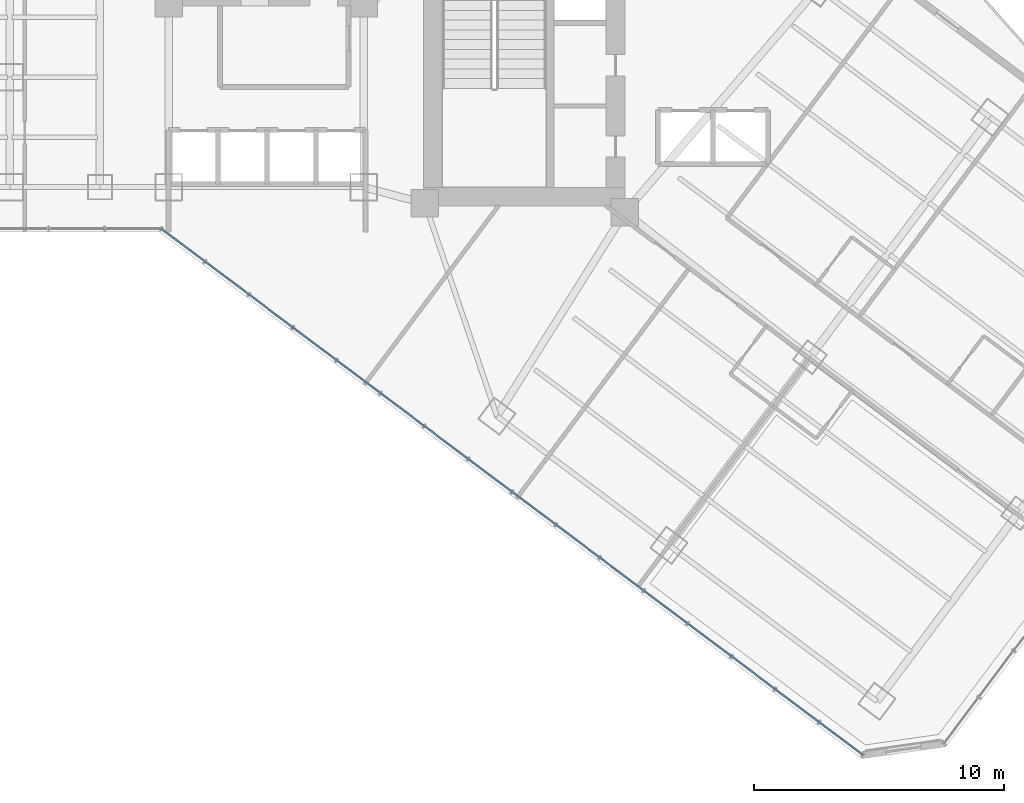
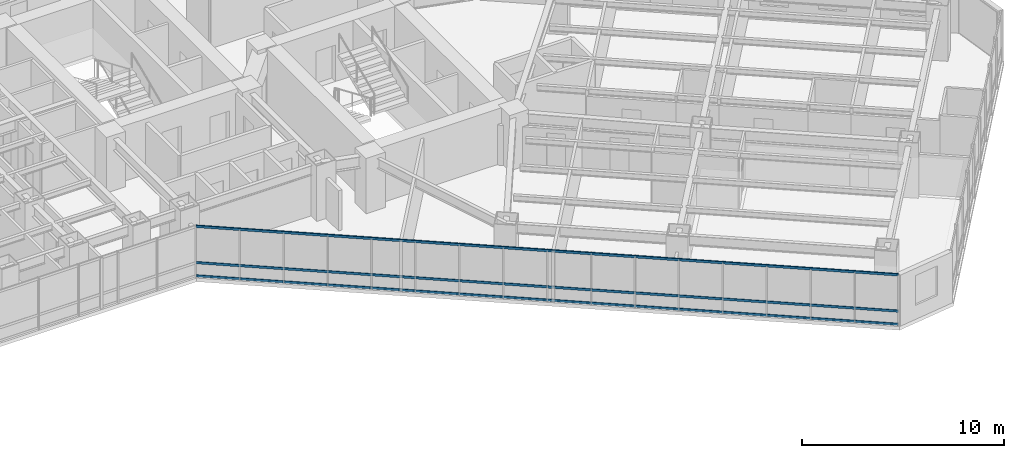
# One storey, part 10 of 39: 3 members, 1 element without a shape of its own.
"""IFC4 building model written with IfcOpenShell, lengths in metres."""

from ifc_helpers import new_model, si_unit, direction, frame, origin, origin_2d, place, context, subcontext, project, spatial, hollow_rectangle, extrude, material, layer, layer_set, material_profile, profile_set, type_object, element, aggregate, save


model = new_model("IFC4")

# Units and contexts
model_context = context("Model", 3, precision=1e-05, world=origin(), true_north=direction((0.0, 1.0)))
body_context = subcontext(model_context, "Body", "Model", "MODEL_VIEW")
ifc_project = project(units=[si_unit("LENGTHUNIT", "METRE"), si_unit("AREAUNIT", "SQUARE_METRE"), si_unit("VOLUMEUNIT", "CUBIC_METRE"), si_unit("PLANEANGLEUNIT", "RADIAN"), si_unit("MASSUNIT", "GRAM", prefix="KILO")], contexts=[model_context])

# Site, building, storey
site_placement = place(None, origin())
site = spatial("IfcSite", under=ifc_project, at=site_placement, CompositionType="ELEMENT")
building_placement = place(site_placement, origin())
building = spatial("IfcBuilding", under=site, at=building_placement, Name="Hatsunagi Terrace Concourse", CompositionType="ELEMENT")
storey_placement = place(building_placement, frame((0.0, 0.0, 66.75)))
storey = spatial("IfcBuildingStorey", under=building, at=storey_placement, Name="L17", CompositionType="ELEMENT", Elevation=66.75)

# Curtain wall, members
ifc_material_1 = material(Name="Anodised Aluminium Alloy 6063-T5", Category="aluminium")
ifc_layer = layer(ifc_material_1, 0.199951171875)
ifc_layer_set = layer_set([ifc_layer], Name="HotelFacade_CW02")
curtain_wall_type = type_object("IfcCurtainWallType", Name="HotelFacade_CW02", PredefinedType="NOTDEFINED", material=ifc_layer_set)
curtain_wall_placement = place(storey_placement, origin())
curtain_wall = element("IfcCurtainWall", 1, at=curtain_wall_placement, inside=storey, type_object=curtain_wall_type, Name="Unitised Curtain Wall CW-02 CW-L17-05", PredefinedType="NOTDEFINED")
ifc_material_2 = material(Name="Anodised Aluminium Alloy 6063-T5", Category="aluminium")
ifc_material_profile = material_profile(ifc_material_2, hollow_rectangle(XDim=0.06494140625, YDim=0.139892578125, WallThickness=0.00390625, at=origin_2d()), Name="ALU-TRN-140x65x4")
ifc_profile_set = profile_set([ifc_material_profile], Name="Anodised Aluminium Alloy 6063-T5")
member_type = type_object("IfcMemberType", Name="CurtainWallTransom_140x65", PredefinedType="USERDEFINED", material=ifc_profile_set)
member_1_placement = place(storey_placement, frame((53.318115234375, 2.487060546875, 0.050048828125), z_axis=(-0.800004174678, 0.599994433723, 0.0), x_axis=(-0.599994433723, -0.800004174678, 0.0)))
member_1 = element("IfcMember", 2, at=member_1_placement, type_object=member_type, Name="Curtain Wall Transom TRN-02", ObjectType="TRANSOM", PredefinedType="USERDEFINED", context=body_context, shape_type="SweptSolid", body=[
    extrude(hollow_rectangle(XDim=0.06494140625, YDim=0.139892578125, WallThickness=0.00390625, at=origin_2d()), origin(), (0.0, 0.0, 1.0), 35.088623046875),
])
member_2_placement = place(storey_placement, frame((53.318115234375, 2.487060546875, 0.85009765625), z_axis=(-0.800004174678, 0.599994433723, 0.0), x_axis=(-0.599994433723, -0.800004174678, 0.0)))
member_2 = element("IfcMember", 3, at=member_2_placement, type_object=member_type, Name="Curtain Wall Transom TRN-02", ObjectType="TRANSOM", PredefinedType="USERDEFINED", context=body_context, shape_type="SweptSolid", body=[
    extrude(hollow_rectangle(XDim=0.06494140625, YDim=0.139892578125, WallThickness=0.00390625, at=origin_2d()), origin(), (0.0, 0.0, 1.0), 35.088623046875),
])
member_3_placement = place(storey_placement, frame((53.318115234375, 2.487060546875, 3.0400390625), z_axis=(-0.800004174678, 0.599994433723, 0.0), x_axis=(-0.599994433723, -0.800004174678, 0.0)))
member_3 = element("IfcMember", 4, at=member_3_placement, type_object=member_type, Name="Curtain Wall Transom TRN-02", ObjectType="TRANSOM", PredefinedType="USERDEFINED", context=body_context, shape_type="SweptSolid", body=[
    extrude(hollow_rectangle(XDim=0.06494140625, YDim=0.139892578125, WallThickness=0.00390625, at=origin_2d()), origin(), (0.0, 0.0, 1.0), 35.088623046875),
])
aggregate(curtain_wall, [member_1, member_2, member_3])

save(model, "model.ifc")
